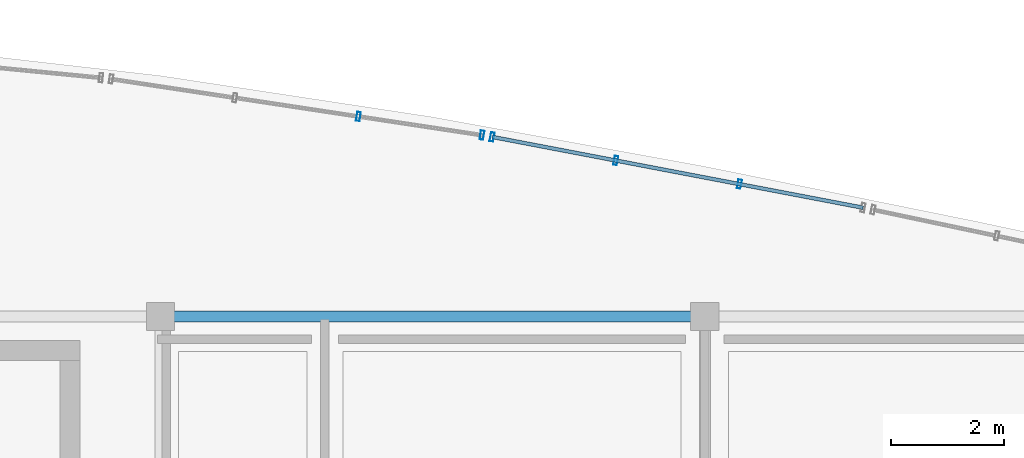
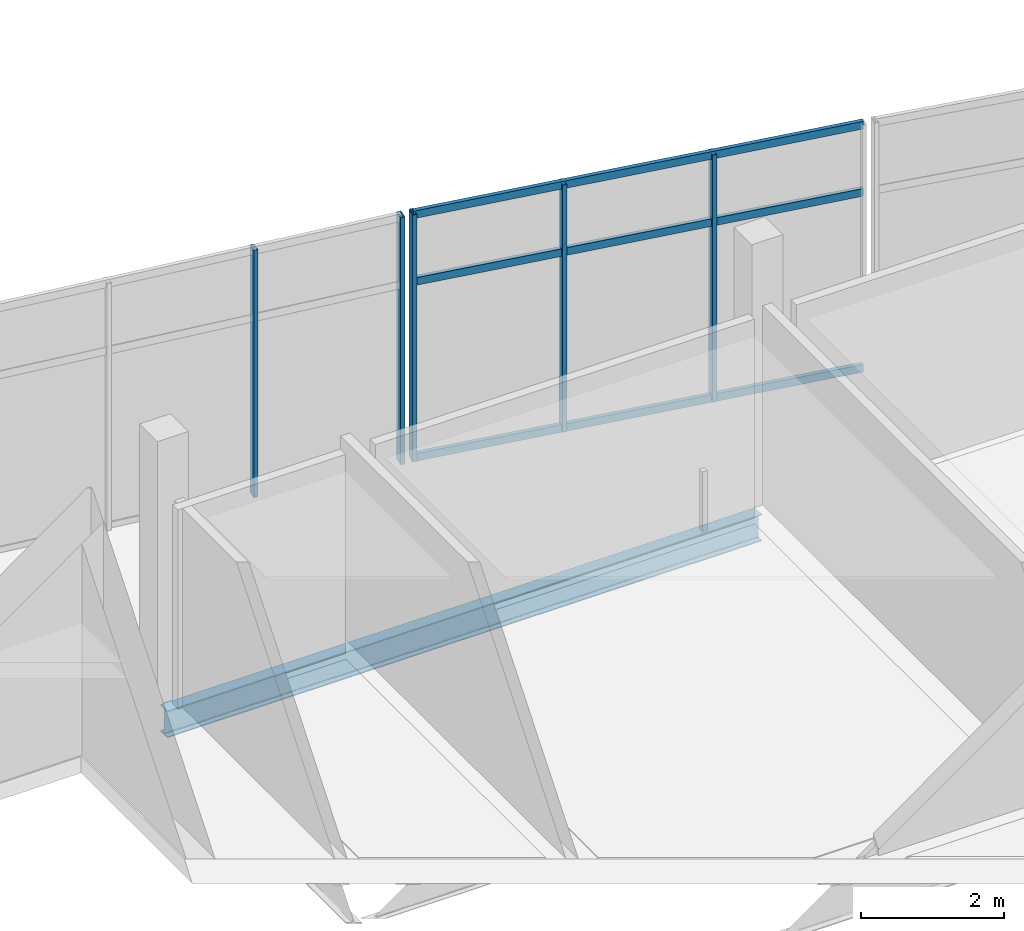
# One storey, part 79 of 114: 8 members, 1 beam, 2 elements without a shape of their own.
"""IFC4 building model written with IfcOpenShell, lengths in metres."""

from ifc_helpers import new_model, si_unit, direction, frame, origin, origin_2d, place, context, subcontext, project, spatial, hollow_rectangle, i_section, extrude, material, layer, layer_set, material_profile, profile_set, type_object, element, aggregate, save


model = new_model("IFC4")

# Units and contexts
model_context = context("Model", 3, precision=1e-05, world=origin(), true_north=direction((0.0, 1.0)))
body_context = subcontext(model_context, "Body", "Model", "MODEL_VIEW")
ifc_project = project(units=[si_unit("LENGTHUNIT", "METRE"), si_unit("AREAUNIT", "SQUARE_METRE"), si_unit("VOLUMEUNIT", "CUBIC_METRE"), si_unit("PLANEANGLEUNIT", "RADIAN"), si_unit("MASSUNIT", "GRAM", prefix="KILO")], contexts=[model_context])

# Site, building, storey
site_placement = place(None, origin())
site = spatial("IfcSite", under=ifc_project, at=site_placement, CompositionType="ELEMENT")
building_placement = place(site_placement, origin())
building = spatial("IfcBuilding", under=site, at=building_placement, Name="Chalmorin Arch Market", CompositionType="ELEMENT")
storey_placement = place(building_placement, frame((0.0, 0.0, 9.60009765625)))
storey = spatial("IfcBuildingStorey", under=building, at=storey_placement, Name="L02", CompositionType="ELEMENT", Elevation=9.60009765625)

# Curtain wall, members
ifc_material_1 = material(Name="Aluminium 6063-T6", Category="aluminium")
ifc_layer_1 = layer(ifc_material_1, 0.159912109375)
ifc_layer_set_1 = layer_set([ifc_layer_1], Name="Aluminium 6063-T6")
curtain_wall_type_1 = type_object("IfcCurtainWallType", Name="CulinaryStudioCurtainWall-CW3-6620x4220", PredefinedType="NOTDEFINED", material=ifc_layer_set_1)
curtain_wall_1_placement = place(storey_placement, origin())
curtain_wall_1 = element("IfcCurtainWall", 1, at=curtain_wall_1_placement, inside=storey, type_object=curtain_wall_type_1, Name="CW-03-143", PredefinedType="NOTDEFINED")
ifc_material_profile_1 = material_profile(ifc_material_1, hollow_rectangle(XDim=0.06494140625, YDim=0.159912109375, WallThickness=0.00390625, at=origin_2d()), Name="ALU65X160X4")
ifc_profile_set_1 = profile_set([ifc_material_profile_1], Name="Aluminium 6063-T6")
member_type_1 = type_object("IfcMemberType", Name="CurtainWallMullion-65x160", PredefinedType="MULLION", material=ifc_profile_set_1)
member_1_placement = place(storey_placement, frame((99.490234375, 121.527587890625, 0.0), z_axis=(0.0, 0.0, 1.0), x_axis=(0.987688340595, -0.15643446504, 0.0)))
member_1 = element("IfcMember", 2, at=member_1_placement, type_object=member_type_1, Name="ML-143-03", PredefinedType="MULLION", context=body_context, shape_type="SweptSolid", body=[
    extrude(hollow_rectangle(XDim=0.06494140625, YDim=0.159912109375, WallThickness=0.00390625, at=origin_2d()), origin(), (0.0, 0.0, 1.0), 4.219970703125),
])
member_2_placement = place(storey_placement, frame((101.6708984375, 121.197509765625, 0.0), z_axis=(0.0, 0.0, 1.0), x_axis=(0.987688340595, -0.15643446504, 0.0)))
member_2 = element("IfcMember", 3, at=member_2_placement, type_object=member_type_1, Name="ML-143-04", PredefinedType="MULLION", context=body_context, shape_type="SweptSolid", body=[
    extrude(hollow_rectangle(XDim=0.06494140625, YDim=0.159912109375, WallThickness=0.00390625, at=origin_2d()), origin(), (0.0, 0.0, 1.0), 4.219970703125),
])
aggregate(curtain_wall_1, [member_1, member_2])

ifc_layer_2 = layer(ifc_material_1, 0.159912109375)
ifc_layer_set_2 = layer_set([ifc_layer_2], Name="Aluminium 6063-T6")
curtain_wall_type_2 = type_object("IfcCurtainWallType", Name="CulinaryStudioCurtainWall-CW3-6660x4220", PredefinedType="NOTDEFINED", material=ifc_layer_set_2)
curtain_wall_2_placement = place(storey_placement, origin())
curtain_wall_2 = element("IfcCurtainWall", 4, at=curtain_wall_2_placement, inside=storey, type_object=curtain_wall_type_2, Name="CW-03-146", PredefinedType="NOTDEFINED")
member_3_placement = place(storey_placement, frame((101.848388671875, 121.1669921875, 0.0), z_axis=(0.0, 0.0, 1.0), x_axis=(0.981627183448, -0.190808995377, 0.0)))
member_3 = element("IfcMember", 5, at=member_3_placement, type_object=member_type_1, Name="ML-146-01", PredefinedType="MULLION", context=body_context, shape_type="SweptSolid", body=[
    extrude(hollow_rectangle(XDim=0.06494140625, YDim=0.159912109375, WallThickness=0.00390625, at=origin_2d()), origin(), (0.0, 0.0, 1.0), 4.219970703125),
])
member_4_placement = place(storey_placement, frame((104.029541015625, 120.750732421875, 0.0), z_axis=(0.0, 0.0, 1.0), x_axis=(0.981627183448, -0.190808995377, 0.0)))
member_4 = element("IfcMember", 6, at=member_4_placement, type_object=member_type_1, Name="ML-146-02", PredefinedType="MULLION", context=body_context, shape_type="SweptSolid", body=[
    extrude(hollow_rectangle(XDim=0.06494140625, YDim=0.159912109375, WallThickness=0.00390625, at=origin_2d()), origin(), (0.0, 0.0, 1.0), 4.219970703125),
])
member_5_placement = place(storey_placement, frame((106.21044921875, 120.334228515625, 0.0), z_axis=(0.0, 0.0, 1.0), x_axis=(0.981627183448, -0.190808995377, 0.0)))
member_5 = element("IfcMember", 7, at=member_5_placement, type_object=member_type_1, Name="ML-146-03", PredefinedType="MULLION", context=body_context, shape_type="SweptSolid", body=[
    extrude(hollow_rectangle(XDim=0.06494140625, YDim=0.159912109375, WallThickness=0.00390625, at=origin_2d()), origin(), (0.0, 0.0, 1.0), 4.219970703125),
])
ifc_material_profile_2 = material_profile(ifc_material_1, hollow_rectangle(XDim=0.06494140625, YDim=0.1298828125, WallThickness=0.00390625, at=origin_2d()), Name="ALU65X130X4")
ifc_profile_set_2 = profile_set([ifc_material_profile_2], Name="Aluminium 6063-T6")
member_type_2 = type_object("IfcMemberType", Name="CurtainWallTransom-65x130", PredefinedType="USERDEFINED", material=ifc_profile_set_2)
member_6_placement = place(storey_placement, frame((101.848388671875, 121.1669921875, 0.034912109375), z_axis=(0.982264065399, -0.187502815514, 0.0), x_axis=(0.187502815514, 0.982264065399, 0.0)))
member_6 = element("IfcMember", 8, at=member_6_placement, type_object=member_type_2, Name="TR-146-01", ObjectType="TRANSOM", PredefinedType="USERDEFINED", context=body_context, shape_type="SweptSolid", body=[
    extrude(hollow_rectangle(XDim=0.06494140625, YDim=0.1298828125, WallThickness=0.00390625, at=origin_2d()), origin(), (0.0, 0.0, 1.0), 6.661376953125),
])
member_7_placement = place(storey_placement, frame((101.848388671875, 121.1669921875, 3.038330078125), z_axis=(0.982264065399, -0.187502815514, 0.0), x_axis=(0.187502815514, 0.982264065399, 0.0)))
member_7 = element("IfcMember", 9, at=member_7_placement, type_object=member_type_2, Name="TR-146-02", ObjectType="TRANSOM", PredefinedType="USERDEFINED", context=body_context, shape_type="SweptSolid", body=[
    extrude(hollow_rectangle(XDim=0.06494140625, YDim=0.1298828125, WallThickness=0.00390625, at=origin_2d()), origin(), (0.0, 0.0, 1.0), 6.661376953125),
])
member_8_placement = place(storey_placement, frame((101.848388671875, 121.1669921875, 4.184814453125), z_axis=(0.982264065399, -0.187502815514, 0.0), x_axis=(0.187502815514, 0.982264065399, 0.0)))
member_8 = element("IfcMember", 10, at=member_8_placement, type_object=member_type_2, Name="TR-146-03", ObjectType="TRANSOM", PredefinedType="USERDEFINED", context=body_context, shape_type="SweptSolid", body=[
    extrude(hollow_rectangle(XDim=0.06494140625, YDim=0.1298828125, WallThickness=0.00390625, at=origin_2d()), origin(), (0.0, 0.0, 1.0), 6.661376953125),
])
aggregate(curtain_wall_2, [member_3, member_4, member_5, member_6, member_7, member_8])

# Beam
ifc_material_2 = material(Name="Steel A992 Grade 50", Category="steel")
ifc_material_profile_3 = material_profile(ifc_material_2, i_section(OverallWidth=0.19091796875, OverallDepth=0.45703125, WebThickness=0.009033203125, FlangeThickness=0.014404296875, FilletRadius=0.02001953125, at=origin_2d()), Name="W18X50")
ifc_profile_set_3 = profile_set([ifc_material_profile_3], Name="Steel A992 Grade 50")
beam_type = type_object("IfcBeamType", Name="PerimeterSpandrelBeam-W18X50", PredefinedType="SPANDREL", material=ifc_profile_set_3)
beam_placement = place(storey_placement, frame((96.0, 118.0, -0.510498046875), z_axis=(1.0, 0.0, 0.0), x_axis=(0.0, 1.0, 0.0)))
element("IfcBeam", 11, at=beam_placement, inside=storey, type_object=beam_type, Name="SP-W18-1288", PredefinedType="SPANDREL", context=body_context, shape_type="SweptSolid", body=[
    extrude(i_section(OverallWidth=0.19091796875, OverallDepth=0.45703125, WebThickness=0.009033203125, FlangeThickness=0.014404296875, FilletRadius=0.02001953125, at=origin_2d()), origin(), (0.0, 0.0, 1.0), 9.60009765625),
])

save(model, "model.ifc")
